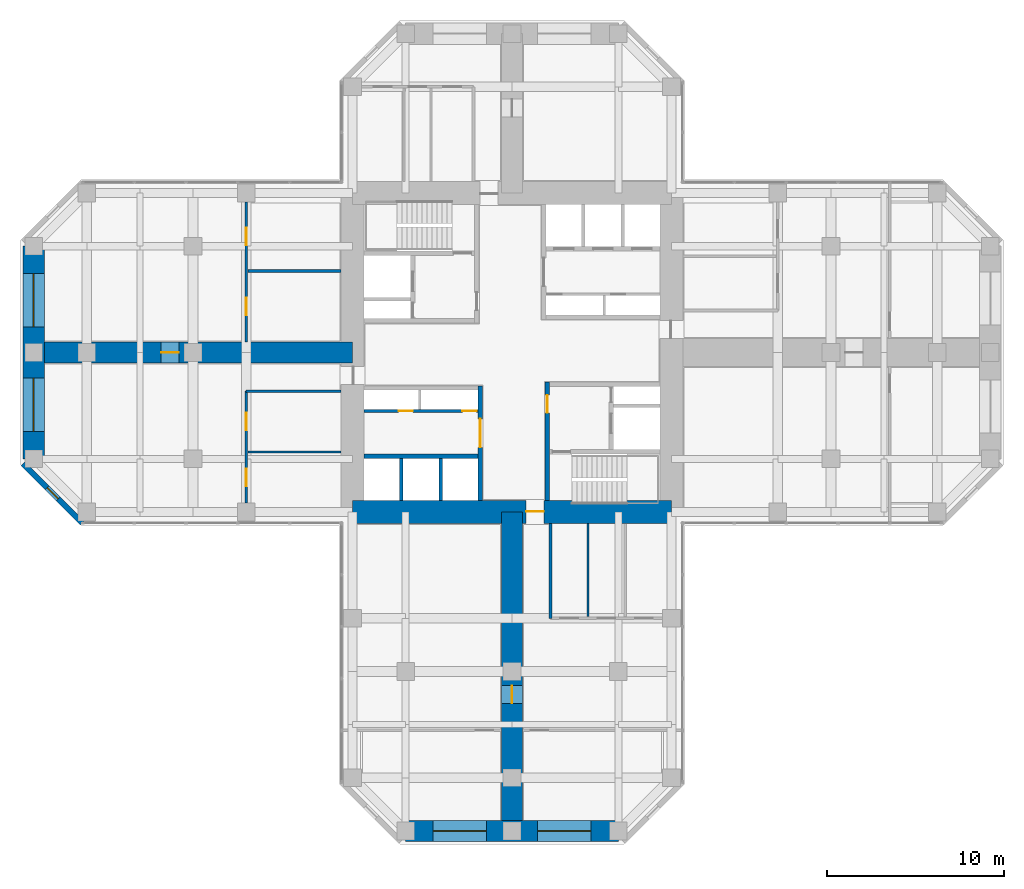
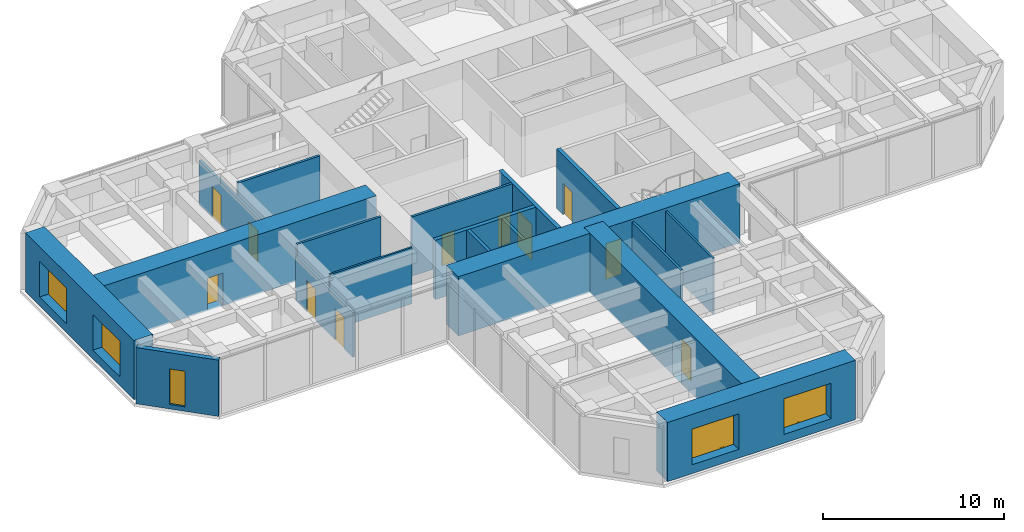
# One storey, part 8 of 12: 19 walls, 11 doors, 5 windows, 16 openings.
"""IFC4 building model written with IfcOpenShell, lengths in metres."""

from ifc_helpers import new_model, si_unit, direction, frame, frame_2d, origin, place, context, subcontext, project, spatial, rectangle, hollow_rectangle, extrude, material, layer, layer_set, constituent, constituent_set, type_object, element, fill, save


model = new_model("IFC4")

# Units and contexts
model_context = context("Model", 3, precision=1e-05, world=origin(), true_north=direction((0.0, 1.0)))
body_context = subcontext(model_context, "Body", "Model", "MODEL_VIEW")
ifc_project = project(units=[si_unit("LENGTHUNIT", "METRE"), si_unit("AREAUNIT", "SQUARE_METRE"), si_unit("VOLUMEUNIT", "CUBIC_METRE"), si_unit("PLANEANGLEUNIT", "RADIAN"), si_unit("MASSUNIT", "GRAM", prefix="KILO")], contexts=[model_context])

# Site, building, storey
site_placement = place(None, origin())
site = spatial("IfcSite", under=ifc_project, at=site_placement, CompositionType="ELEMENT")
building_placement = place(site_placement, origin())
building = spatial("IfcBuilding", under=site, at=building_placement, Name="Torre Cruceta", CompositionType="ELEMENT")
storey_placement = place(building_placement, frame((0.0, 0.0, 148.5)))
storey = spatial("IfcBuildingStorey", under=building, at=storey_placement, Name="L36", CompositionType="ELEMENT", Elevation=148.5)

# Wall, opening, door
ifc_material_1 = material(Name="Concrete G60 (fck 60 MPa)", Category="concrete")
ifc_layer_1 = layer(ifc_material_1, 0.25)
ifc_layer_set_1 = layer_set([ifc_layer_1], Name="Concrete G60 (fck 60 MPa)")
wall_type_1 = type_object("IfcWallType", Name="CORE INNER WALL 250 G60", PredefinedType="SHEAR", material=ifc_layer_set_1)
wall_1_placement = place(storey_placement, frame((-1.800048828125, -1.875, 0.0), z_axis=(0.0, 0.0, 1.0), x_axis=(0.0, -1.0, 0.0)))
wall_1 = element("IfcWall", 1, at=wall_1_placement, inside=storey, type_object=wall_type_1, Name="CW4 L36 SW-CU", PredefinedType="SHEAR", context=body_context, shape_type="SweptSolid", body=[
    extrude(rectangle(XDim=6.47509765625, YDim=0.25, at=frame_2d((3.237548828125, 0.0))), origin(), (0.0, 0.0, 1.0), 4.0),
])
opening_1_placement = place(wall_1_placement, frame((1.875, 0.0, 0.0)))
opening_1 = element("IfcOpeningElement", 2, at=opening_1_placement, cuts=wall_1, Name="Opening D15", PredefinedType="OPENING", context=body_context, shape_type="SweptSolid", body=[
    extrude(rectangle(XDim=1.60009765625, YDim=2.39990234375, at=frame_2d((0.800048828125, 1.199951171875))), frame((0.0, 0.135009765625, 0.0), z_axis=(0.0, -1.0, 0.0), x_axis=(1.0, 0.0, 0.0)), (0.0, 0.0, 1.0), 0.27001953125),
])
ifc_material_2 = material(Name="Steel DX51D", Category="steel")
ifc_constituent_1 = constituent(ifc_material_2, Name="Leaf and frame")
ifc_material_3 = material(Name="Polyester powder coating", Category="paint")
ifc_constituent_2 = constituent(ifc_material_3, Name="Finish")
ifc_constituent_set_1 = constituent_set(constituents=[ifc_constituent_1, ifc_constituent_2], Name="Steel fire door")
door_type_1 = type_object("IfcDoorType", Name="CORE ROOM DOUBLE DOOR 1600X2400", OperationType="DOUBLE_DOOR_SINGLE_SWING", PredefinedType="DOOR", material=ifc_constituent_set_1)
door_1_placement = place(opening_1_placement, frame((1.60009765625, 0.0, 0.0), z_axis=(0.0, 0.0, 1.0), x_axis=(-1.0, 0.0, 0.0)))
door_1 = element("IfcDoor", 3, at=door_1_placement, inside=storey, type_object=door_type_1, Name="D15 L36 SW-LOBBY", OperationType="DOUBLE_DOOR_SINGLE_SWING", OverallHeight=2.39990234375, OverallWidth=1.60009765625, PredefinedType="DOOR", context=body_context, shape_type="SweptSolid", body=[
    extrude(rectangle(XDim=1.60009765625, YDim=2.39990234375, at=frame_2d((0.800048828125, 1.199951171875))), frame((0.0, 0.025146484375, 0.0), z_axis=(0.0, -1.0, 0.0), x_axis=(1.0, 0.0, 0.0)), (0.0, 0.0, 1.0), 0.050048828125),
])
fill(opening_1, door_1)

# Wall
wall_2_placement = place(storey_placement, frame((-1.925048828125, -5.85009765625, 0.0), z_axis=(0.0, 0.0, 1.0), x_axis=(-1.0, 0.0, 0.0)))
element("IfcWall", 4, at=wall_2_placement, inside=storey, type_object=wall_type_1, Name="CW4 L36 SW-LV", PredefinedType="SHEAR", context=body_context, shape_type="SweptSolid", body=[
    extrude(rectangle(XDim=6.425048828125, YDim=0.25, at=frame_2d((3.21240234375, 0.0))), origin(), (0.0, 0.0, 1.0), 4.0),
])

# Wall, opening, door
wall_3_placement = place(storey_placement, frame((2.0, -1.675048828125, 0.0), z_axis=(0.0, 0.0, 1.0), x_axis=(0.0, -1.0, 0.0)))
wall_3 = element("IfcWall", 5, at=wall_3_placement, inside=storey, type_object=wall_type_1, Name="CW4 L36 SE-CU", PredefinedType="SHEAR", context=body_context, shape_type="SweptSolid", body=[
    extrude(rectangle(XDim=6.675048828125, YDim=0.25, at=frame_2d((3.33740234375, 0.0))), origin(), (0.0, 0.0, 1.0), 4.0),
])
opening_2_placement = place(wall_3_placement, frame((0.72509765625, 0.0, 0.0)))
opening_2 = element("IfcOpeningElement", 6, at=opening_2_placement, cuts=wall_3, Name="Opening D3", PredefinedType="OPENING", context=body_context, shape_type="SweptSolid", body=[
    extrude(rectangle(XDim=1.0, YDim=2.10009765625, at=frame_2d((0.5, 1.050048828125))), frame((0.0, 0.135009765625, 0.0), z_axis=(0.0, -1.0, 0.0), x_axis=(1.0, 0.0, 0.0)), (0.0, 0.0, 1.0), 0.27001953125),
])
ifc_material_4 = material(Name="Steel DX51D", Category="steel")
ifc_constituent_3 = constituent(ifc_material_4, Name="Leaf and frame")
ifc_material_5 = material(Name="Polyester powder coating", Category="paint")
ifc_constituent_4 = constituent(ifc_material_5, Name="Finish")
ifc_constituent_set_2 = constituent_set(constituents=[ifc_constituent_3, ifc_constituent_4], Name="Steel fire door")
door_type_2 = type_object("IfcDoorType", Name="FIRE DOOR 1000X2100", OperationType="SINGLE_SWING_LEFT", PredefinedType="DOOR", material=ifc_constituent_set_2)
door_2_placement = place(opening_2_placement, origin())
door_2 = element("IfcDoor", 7, at=door_2_placement, inside=storey, type_object=door_type_2, Name="D3 L36 SE-LOBBY", OperationType="SINGLE_SWING_LEFT", OverallHeight=2.10009765625, OverallWidth=1.0, PredefinedType="DOOR", context=body_context, shape_type="SweptSolid", body=[
    extrude(rectangle(XDim=1.0, YDim=2.10009765625, at=frame_2d((0.5, 1.050048828125))), frame((0.0, 0.02490234375, 0.0), z_axis=(0.0, -1.0, 0.0), x_axis=(1.0, 0.0, 0.0)), (0.0, 0.0, 1.0), 0.050048828125),
])
fill(opening_2, door_2)

ifc_material_6 = material(Name="Concrete G60 (fck 60 MPa)", Category="concrete")
ifc_layer_2 = layer(ifc_material_6, 1.300048828125)
ifc_layer_set_2 = layer_set([ifc_layer_2], Name="Concrete G60 (fck 60 MPa)")
wall_type_2 = type_object("IfcWallType", Name="CORE WALL 1300 G60", PredefinedType="SHEAR", material=ifc_layer_set_2)
wall_4_placement = place(storey_placement, frame((-9.0, -9.0, 0.0), z_axis=(0.0, 0.0, 1.0), x_axis=(1.0, 0.0, 0.0)))
wall_4 = element("IfcWall", 8, at=wall_4_placement, inside=storey, type_object=wall_type_2, Name="CW1 L36 CW-S", PredefinedType="SHEAR", context=body_context, shape_type="SweptSolid", body=[
    extrude(rectangle(XDim=18.0, YDim=1.300048828125, at=frame_2d((9.0, 0.0))), origin(), (0.0, 0.0, 1.0), 4.0),
])
opening_3_placement = place(wall_4_placement, frame((9.800048828125, 0.0, 0.0)))
opening_3 = element("IfcOpeningElement", 9, at=opening_3_placement, cuts=wall_4, Name="Opening D4", PredefinedType="OPENING", context=body_context, shape_type="SweptSolid", body=[
    extrude(rectangle(XDim=1.0, YDim=2.39990234375, at=frame_2d((0.5, 1.199951171875))), frame((0.0, 0.659912109375, 0.0), z_axis=(0.0, -1.0, 0.0), x_axis=(1.0, 0.0, 0.0)), (0.0, 0.0, 1.0), 1.320068359375),
])
ifc_material_7 = material(Name="Steel DX51D", Category="steel")
ifc_constituent_5 = constituent(ifc_material_7, Name="Leaf and frame")
ifc_material_8 = material(Name="Polyester powder coating", Category="paint")
ifc_constituent_6 = constituent(ifc_material_8, Name="Finish")
ifc_constituent_set_3 = constituent_set(constituents=[ifc_constituent_5, ifc_constituent_6], Name="Steel fire door")
door_type_3 = type_object("IfcDoorType", Name="CORE ARM DOOR 1000X2400", OperationType="SINGLE_SWING_RIGHT", PredefinedType="DOOR", material=ifc_constituent_set_3)
door_3_placement = place(opening_3_placement, frame((1.0, 0.0, 0.0), z_axis=(0.0, 0.0, 1.0), x_axis=(-1.0, 0.0, 0.0)))
door_3 = element("IfcDoor", 10, at=door_3_placement, inside=storey, type_object=door_type_3, Name="D4 L36 CW-S", OperationType="SINGLE_SWING_RIGHT", OverallHeight=2.39990234375, OverallWidth=1.0, PredefinedType="DOOR", context=body_context, shape_type="SweptSolid", body=[
    extrude(rectangle(XDim=1.0, YDim=2.39990234375, at=frame_2d((0.5, 1.199951171875))), frame((0.0, -0.005126953125, 0.0), z_axis=(0.0, -1.0, 0.0), x_axis=(1.0, 0.0, 0.0)), (0.0, 0.0, 1.0), 0.050048828125),
])
fill(opening_3, door_3)

# Wall, opening, window
ifc_material_9 = material(Name="Concrete G30 (fck 30 MPa)", Category="concrete")
ifc_layer_3 = layer(ifc_material_9, 0.300048828125)
ifc_layer_set_3 = layer_set([ifc_layer_3], Name="Concrete G30 (fck 30 MPa)")
wall_type_3 = type_object("IfcWallType", Name="EXPOSED CONCRETE FACADE WALL 300", PredefinedType="SOLIDWALL", material=ifc_layer_set_3)
wall_5_placement = place(storey_placement, frame((-27.60009765625, -6.27685546875, 0.0), z_axis=(0.0, 0.0, 1.0), x_axis=(0.707106781187, -0.707106781187, 0.0)))
wall_5 = element("IfcWall", 11, at=wall_5_placement, inside=storey, type_object=wall_type_3, Name="EW1 facade wall L36 W chamfer 13", PredefinedType="SOLIDWALL", context=body_context, shape_type="SweptSolid", body=[
    extrude(rectangle(XDim=4.72802734375, YDim=0.300048828125, at=frame_2d((2.364013671875, 0.0))), origin(), (0.0, 0.0, 1.0), 3.800048828125),
])
opening_4_placement = place(wall_5_placement, frame((1.9140625, 0.0, 0.300048828125)))
opening_4 = element("IfcOpeningElement", 12, at=opening_4_placement, cuts=wall_5, Name="Opening WN5", PredefinedType="OPENING", context=body_context, shape_type="SweptSolid", body=[
    extrude(rectangle(XDim=0.89990234375, YDim=2.39990234375, at=frame_2d((0.449951171875, 1.199951171875))), frame((0.0, 0.159912109375, 0.0), z_axis=(0.0, -1.0, 0.0), x_axis=(1.0, 0.0, 0.0)), (0.0, 0.0, 1.0), 0.320068359375),
])
ifc_material_10 = material(Name="Aluminium window frame", Category="aluminium")
ifc_constituent_7 = constituent(ifc_material_10, Name="Frame")
ifc_material_11 = material(Name="Laminated insulating glass unit, low-iron clear", Category="glass")
ifc_constituent_8 = constituent(ifc_material_11, Name="Glazing")
ifc_constituent_set_4 = constituent_set(constituents=[ifc_constituent_7, ifc_constituent_8], Name="Aluminium window")
window_type_1 = type_object("IfcWindowType", Name="CHAMFER SLOT WINDOW 900X2400", PartitioningType="SINGLE_PANEL", PredefinedType="WINDOW", material=ifc_constituent_set_4)
window_1_placement = place(opening_4_placement, origin())
window_1 = element("IfcWindow", 13, at=window_1_placement, inside=storey, type_object=window_type_1, Name="WN5 L36 W 1", OverallHeight=2.39990234375, OverallWidth=0.89990234375, PartitioningType="SINGLE_PANEL", PredefinedType="WINDOW", context=body_context, shape_type="SweptSolid", body=[
    extrude(hollow_rectangle(XDim=0.89990234375, YDim=2.39990234375, WallThickness=0.06005859375, at=frame_2d((0.449951171875, 1.199951171875))), frame((0.0, 0.030029296875, 0.0), z_axis=(0.0, -1.0, 0.0), x_axis=(1.0, 0.0, 0.0)), (0.0, 0.0, 1.0), 0.06005859375),
    extrude(rectangle(XDim=0.77880859375, YDim=2.27880859375, at=frame_2d((0.449951171875, 1.199951171875))), frame((0.0, 0.030029296875, 0.0), z_axis=(0.0, -1.0, 0.0), x_axis=(1.0, 0.0, 0.0)), (0.0, 0.0, 1.0), 0.06005859375),
])
fill(opening_4, window_1)

# Walls
ifc_material_12 = material(Name="Concrete G35 (fck 35 MPa)", Category="concrete")
ifc_layer_4 = layer(ifc_material_12, 0.199951171875)
ifc_layer_set_4 = layer_set([ifc_layer_4], Name="Concrete G35 (fck 35 MPa)")
wall_type_4 = type_object("IfcWallType", Name="LIFT SHAFT WALL 200", PredefinedType="PARTITIONING", material=ifc_layer_set_4)
for number, where, z_axis, x_axis, name in (
    (14, (-4.033447265625, -5.97509765625, 0.0), (0.0, 0.0, 1.0), (0.0, -1.0, 0.0), "SW1 L36 SW-LS1"),
    (15, (-6.24169921875, -5.97509765625, 0.0), (0.0, 0.0, 1.0), (0.0, -1.0, 0.0), "SW1 L36 SW-LS2"),
):
    element("IfcWall", number, at=place(storey_placement, frame(where, z_axis=z_axis, x_axis=x_axis)), inside=storey, type_object=wall_type_4, Name=name, PredefinedType="PARTITIONING", context=body_context, shape_type="SweptSolid", body=[
        extrude(rectangle(XDim=2.375, YDim=0.199951171875, at=frame_2d((1.1875, 0.0))), origin(), (0.0, 0.0, 1.0), 4.0),
    ])

# Wall, openings, windows
ifc_material_13 = material(Name="Concrete G60 (fck 60 MPa)", Category="concrete")
ifc_layer_5 = layer(ifc_material_13, 1.199951171875)
ifc_layer_set_5 = layer_set([ifc_layer_5], Name="Concrete G60 (fck 60 MPa)")
wall_type_5 = type_object("IfcWallType", Name="NOSE WALL 1200 G60", PredefinedType="SHEAR", material=ifc_layer_set_5)
wall_6_placement = place(storey_placement, frame((-6.0, -27.0, 0.0), z_axis=(0.0, 0.0, 1.0), x_axis=(1.0, 0.0, 0.0)))
wall_6 = element("IfcWall", 16, at=wall_6_placement, inside=storey, type_object=wall_type_5, Name="NW1 nose wall L36 S", PredefinedType="SHEAR", context=body_context, shape_type="SweptSolid", body=[
    extrude(rectangle(XDim=12.0, YDim=1.199951171875, at=frame_2d((6.0, 0.0))), origin(), (0.0, 0.0, 1.0), 4.0),
])
opening_5_placement = place(wall_6_placement, frame((1.550048828125, 0.0, 0.60009765625)))
opening_5 = element("IfcOpeningElement", 17, at=opening_5_placement, cuts=wall_6, Name="Opening WN6", PredefinedType="OPENING", context=body_context, shape_type="SweptSolid", body=[
    extrude(rectangle(XDim=3.0, YDim=2.39990234375, at=frame_2d((1.5, 1.199951171875))), frame((0.0, 0.60986328125, 0.0), z_axis=(0.0, -1.0, 0.0), x_axis=(1.0, 0.0, 0.0)), (0.0, 0.0, 1.0), 1.219970703125),
])
opening_6_placement = place(wall_6_placement, frame((7.449951171875, 0.0, 0.60009765625)))
opening_6 = element("IfcOpeningElement", 18, at=opening_6_placement, cuts=wall_6, Name="Opening WN6", PredefinedType="OPENING", context=body_context, shape_type="SweptSolid", body=[
    extrude(rectangle(XDim=3.0, YDim=2.39990234375, at=frame_2d((1.5, 1.199951171875))), frame((0.0, 0.60986328125, 0.0), z_axis=(0.0, -1.0, 0.0), x_axis=(1.0, 0.0, 0.0)), (0.0, 0.0, 1.0), 1.219970703125),
])
ifc_material_14 = material(Name="Aluminium window frame", Category="aluminium")
ifc_constituent_9 = constituent(ifc_material_14, Name="Frame")
ifc_material_15 = material(Name="Laminated insulating glass unit, low-iron clear", Category="glass")
ifc_constituent_10 = constituent(ifc_material_15, Name="Glazing")
ifc_constituent_set_5 = constituent_set(constituents=[ifc_constituent_9, ifc_constituent_10], Name="Aluminium window")
window_type_2 = type_object("IfcWindowType", Name="NOSE WALL WINDOW 3000X2400", PartitioningType="SINGLE_PANEL", PredefinedType="WINDOW", material=ifc_constituent_set_5)
window_2_placement = place(opening_5_placement, origin())
window_2 = element("IfcWindow", 19, at=window_2_placement, inside=storey, type_object=window_type_2, Name="WN6 L36 S 1", OverallHeight=2.39990234375, OverallWidth=3.0, PartitioningType="SINGLE_PANEL", PredefinedType="WINDOW", context=body_context, shape_type="SweptSolid", body=[
    extrude(hollow_rectangle(XDim=3.0, YDim=2.39990234375, WallThickness=0.06005859375, at=frame_2d((1.5, 1.199951171875))), frame((0.0, 0.030029296875, 0.0), z_axis=(0.0, -1.0, 0.0), x_axis=(1.0, 0.0, 0.0)), (0.0, 0.0, 1.0), 0.06005859375),
    extrude(rectangle(XDim=2.87890625, YDim=2.27880859375, at=frame_2d((1.5, 1.199951171875))), frame((0.0, 0.030029296875, 0.0), z_axis=(0.0, -1.0, 0.0), x_axis=(1.0, 0.0, 0.0)), (0.0, 0.0, 1.0), 0.06005859375),
])
fill(opening_5, window_2)
window_3_placement = place(opening_6_placement, origin())
window_3 = element("IfcWindow", 20, at=window_3_placement, inside=storey, type_object=window_type_2, Name="WN6 L36 S 2", OverallHeight=2.39990234375, OverallWidth=3.0, PartitioningType="SINGLE_PANEL", PredefinedType="WINDOW", context=body_context, shape_type="SweptSolid", body=[
    extrude(hollow_rectangle(XDim=3.0, YDim=2.39990234375, WallThickness=0.06005859375, at=frame_2d((1.5, 1.199951171875))), frame((0.0, 0.030029296875, 0.0), z_axis=(0.0, -1.0, 0.0), x_axis=(1.0, 0.0, 0.0)), (0.0, 0.0, 1.0), 0.06005859375),
    extrude(rectangle(XDim=2.87890625, YDim=2.27880859375, at=frame_2d((1.5, 1.199951171875))), frame((0.0, 0.030029296875, 0.0), z_axis=(0.0, -1.0, 0.0), x_axis=(1.0, 0.0, 0.0)), (0.0, 0.0, 1.0), 0.06005859375),
])
fill(opening_6, window_3)

wall_7_placement = place(storey_placement, frame((-27.0, 6.0, 0.0), z_axis=(0.0, 0.0, 1.0), x_axis=(0.0, -1.0, 0.0)))
wall_7 = element("IfcWall", 21, at=wall_7_placement, inside=storey, type_object=wall_type_5, Name="NW1 nose wall L36 W", PredefinedType="SHEAR", context=body_context, shape_type="SweptSolid", body=[
    extrude(rectangle(XDim=12.0, YDim=1.199951171875, at=frame_2d((6.0, 0.0))), origin(), (0.0, 0.0, 1.0), 4.0),
])
opening_7_placement = place(wall_7_placement, frame((1.550048828125, 0.0, 0.60009765625)))
opening_7 = element("IfcOpeningElement", 22, at=opening_7_placement, cuts=wall_7, Name="Opening WN6", PredefinedType="OPENING", context=body_context, shape_type="SweptSolid", body=[
    extrude(rectangle(XDim=3.0, YDim=2.39990234375, at=frame_2d((1.5, 1.199951171875))), frame((0.0, 0.60986328125, 0.0), z_axis=(0.0, -1.0, 0.0), x_axis=(1.0, 0.0, 0.0)), (0.0, 0.0, 1.0), 1.219970703125),
])
opening_8_placement = place(wall_7_placement, frame((7.449951171875, 0.0, 0.60009765625)))
opening_8 = element("IfcOpeningElement", 23, at=opening_8_placement, cuts=wall_7, Name="Opening WN6", PredefinedType="OPENING", context=body_context, shape_type="SweptSolid", body=[
    extrude(rectangle(XDim=3.0, YDim=2.39990234375, at=frame_2d((1.5, 1.199951171875))), frame((0.0, 0.60986328125, 0.0), z_axis=(0.0, -1.0, 0.0), x_axis=(1.0, 0.0, 0.0)), (0.0, 0.0, 1.0), 1.219970703125),
])
window_4_placement = place(opening_7_placement, origin())
window_4 = element("IfcWindow", 24, at=window_4_placement, inside=storey, type_object=window_type_2, Name="WN6 L36 W 1", OverallHeight=2.39990234375, OverallWidth=3.0, PartitioningType="SINGLE_PANEL", PredefinedType="WINDOW", context=body_context, shape_type="SweptSolid", body=[
    extrude(hollow_rectangle(XDim=3.0, YDim=2.39990234375, WallThickness=0.06005859375, at=frame_2d((1.5, 1.199951171875))), frame((0.0, 0.030029296875, 0.0), z_axis=(0.0, -1.0, 0.0), x_axis=(1.0, 0.0, 0.0)), (0.0, 0.0, 1.0), 0.06005859375),
    extrude(rectangle(XDim=2.87890625, YDim=2.27880859375, at=frame_2d((1.5, 1.199951171875))), frame((0.0, 0.030029296875, 0.0), z_axis=(0.0, -1.0, 0.0), x_axis=(1.0, 0.0, 0.0)), (0.0, 0.0, 1.0), 0.06005859375),
])
fill(opening_7, window_4)
window_5_placement = place(opening_8_placement, origin())
window_5 = element("IfcWindow", 25, at=window_5_placement, inside=storey, type_object=window_type_2, Name="WN6 L36 W 2", OverallHeight=2.39990234375, OverallWidth=3.0, PartitioningType="SINGLE_PANEL", PredefinedType="WINDOW", context=body_context, shape_type="SweptSolid", body=[
    extrude(hollow_rectangle(XDim=3.0, YDim=2.39990234375, WallThickness=0.06005859375, at=frame_2d((1.5, 1.199951171875))), frame((0.0, 0.030029296875, 0.0), z_axis=(0.0, -1.0, 0.0), x_axis=(1.0, 0.0, 0.0)), (0.0, 0.0, 1.0), 0.06005859375),
    extrude(rectangle(XDim=2.87890625, YDim=2.27880859375, at=frame_2d((1.5, 1.199951171875))), frame((0.0, 0.030029296875, 0.0), z_axis=(0.0, -1.0, 0.0), x_axis=(1.0, 0.0, 0.0)), (0.0, 0.0, 1.0), 0.06005859375),
])
fill(opening_8, window_5)

# Wall
ifc_material_16 = material(Name="Plasterboard on steel studs", Category="steel")
ifc_layer_6 = layer(ifc_material_16, 0.14990234375)
ifc_layer_set_6 = layer_set([ifc_layer_6], Name="Plasterboard on steel studs")
wall_type_6 = type_object("IfcWallType", Name="PARTITION 150", PredefinedType="PARTITIONING", material=ifc_layer_set_6)
wall_8_placement = place(storey_placement, frame((2.175048828125, -9.64990234375, 0.0), z_axis=(0.0, 0.0, 1.0), x_axis=(0.0, -1.0, 0.0)))
element("IfcWall", 26, at=wall_8_placement, inside=storey, type_object=wall_type_6, Name="PT1 L36-S-BSL", PredefinedType="PARTITIONING", context=body_context, shape_type="SweptSolid", body=[
    extrude(rectangle(XDim=5.35009765625, YDim=0.14990234375, at=frame_2d((2.675048828125, 0.0))), origin(), (0.0, 0.0, 1.0), 3.800048828125),
])

# Wall, openings, doors
wall_9_placement = place(storey_placement, frame((-15.0, -2.175048828125, 0.0), z_axis=(0.0, 0.0, 1.0), x_axis=(0.0, -1.0, 0.0)))
wall_9 = element("IfcWall", 27, at=wall_9_placement, inside=storey, type_object=wall_type_6, Name="PT1 L36-W-BFL", PredefinedType="PARTITIONING", context=body_context, shape_type="SweptSolid", body=[
    extrude(rectangle(XDim=6.324951171875, YDim=0.14990234375, at=frame_2d((3.16259765625, 0.0))), origin(), (0.0, 0.0, 1.0), 3.0),
])
opening_9_placement = place(wall_9_placement, frame((1.216796875, 0.0, 0.0)))
opening_9 = element("IfcOpeningElement", 28, at=opening_9_placement, cuts=wall_9, Name="Opening D3", PredefinedType="OPENING", context=body_context, shape_type="SweptSolid", body=[
    extrude(rectangle(XDim=1.0, YDim=2.10009765625, at=frame_2d((0.5, 1.050048828125))), frame((0.0, 0.0849609375, 0.0), z_axis=(0.0, -1.0, 0.0), x_axis=(1.0, 0.0, 0.0)), (0.0, 0.0, 1.0), 0.169921875),
])
opening_10_placement = place(wall_9_placement, frame((4.37939453125, 0.0, 0.0)))
opening_10 = element("IfcOpeningElement", 29, at=opening_10_placement, cuts=wall_9, Name="Opening D3", PredefinedType="OPENING", context=body_context, shape_type="SweptSolid", body=[
    extrude(rectangle(XDim=1.0, YDim=2.10009765625, at=frame_2d((0.5, 1.050048828125))), frame((0.0, 0.0849609375, 0.0), z_axis=(0.0, -1.0, 0.0), x_axis=(1.0, 0.0, 0.0)), (0.0, 0.0, 1.0), 0.169921875),
])
door_4_placement = place(opening_9_placement, origin())
door_4 = element("IfcDoor", 30, at=door_4_placement, inside=storey, type_object=door_type_2, Name="D3 L36-W-BFL-D1", OperationType="SINGLE_SWING_LEFT", OverallHeight=2.10009765625, OverallWidth=1.0, PredefinedType="DOOR", context=body_context, shape_type="SweptSolid", body=[
    extrude(rectangle(XDim=1.0, YDim=2.10009765625, at=frame_2d((0.5, 1.050048828125))), frame((0.0, 0.02490234375, 0.0), z_axis=(0.0, -1.0, 0.0), x_axis=(1.0, 0.0, 0.0)), (0.0, 0.0, 1.0), 0.050048828125),
])
fill(opening_9, door_4)
door_5_placement = place(opening_10_placement, origin())
door_5 = element("IfcDoor", 31, at=door_5_placement, inside=storey, type_object=door_type_2, Name="D3 L36-W-BFL-D2", OperationType="SINGLE_SWING_LEFT", OverallHeight=2.10009765625, OverallWidth=1.0, PredefinedType="DOOR", context=body_context, shape_type="SweptSolid", body=[
    extrude(rectangle(XDim=1.0, YDim=2.10009765625, at=frame_2d((0.5, 1.050048828125))), frame((0.0, 0.02490234375, 0.0), z_axis=(0.0, -1.0, 0.0), x_axis=(1.0, 0.0, 0.0)), (0.0, 0.0, 1.0), 0.050048828125),
])
fill(opening_10, door_5)

# Wall
wall_10_placement = place(storey_placement, frame((-9.64990234375, -2.175048828125, 0.0), z_axis=(0.0, 0.0, 1.0), x_axis=(-1.0, 0.0, 0.0)))
element("IfcWall", 32, at=wall_10_placement, inside=storey, type_object=wall_type_6, Name="PT1 L36-W-BSL", PredefinedType="PARTITIONING", context=body_context, shape_type="SweptSolid", body=[
    extrude(rectangle(XDim=5.35009765625, YDim=0.14990234375, at=frame_2d((2.675048828125, 0.0))), origin(), (0.0, 0.0, 1.0), 3.800048828125),
])

# Wall, openings, doors
wall_11_placement = place(storey_placement, frame((-15.0, 8.5, 0.0), z_axis=(0.0, 0.0, 1.0), x_axis=(0.0, -1.0, 0.0)))
wall_11 = element("IfcWall", 33, at=wall_11_placement, inside=storey, type_object=wall_type_6, Name="PT1 L36-W-BFR", PredefinedType="PARTITIONING", context=body_context, shape_type="SweptSolid", body=[
    extrude(rectangle(XDim=7.89990234375, YDim=0.14990234375, at=frame_2d((3.949951171875, 0.0))), origin(), (0.0, 0.0, 1.0), 3.0),
])
opening_11_placement = place(wall_11_placement, frame((1.449951171875, 0.0, 0.0)))
opening_11 = element("IfcOpeningElement", 34, at=opening_11_placement, cuts=wall_11, Name="Opening D3", PredefinedType="OPENING", context=body_context, shape_type="SweptSolid", body=[
    extrude(rectangle(XDim=1.0, YDim=2.10009765625, at=frame_2d((0.5, 1.050048828125))), frame((0.0, 0.0849609375, 0.0), z_axis=(0.0, -1.0, 0.0), x_axis=(1.0, 0.0, 0.0)), (0.0, 0.0, 1.0), 0.169921875),
])
opening_12_placement = place(wall_11_placement, frame((5.39990234375, 0.0, 0.0)))
opening_12 = element("IfcOpeningElement", 35, at=opening_12_placement, cuts=wall_11, Name="Opening D3", PredefinedType="OPENING", context=body_context, shape_type="SweptSolid", body=[
    extrude(rectangle(XDim=1.0, YDim=2.10009765625, at=frame_2d((0.5, 1.050048828125))), frame((0.0, 0.0849609375, 0.0), z_axis=(0.0, -1.0, 0.0), x_axis=(1.0, 0.0, 0.0)), (0.0, 0.0, 1.0), 0.169921875),
])
door_6_placement = place(opening_11_placement, origin())
door_6 = element("IfcDoor", 36, at=door_6_placement, inside=storey, type_object=door_type_2, Name="D3 L36-W-BFR-D1", OperationType="SINGLE_SWING_RIGHT", OverallHeight=2.10009765625, OverallWidth=1.0, PredefinedType="DOOR", context=body_context, shape_type="SweptSolid", body=[
    extrude(rectangle(XDim=1.0, YDim=2.10009765625, at=frame_2d((0.5, 1.050048828125))), frame((0.0, 0.02490234375, 0.0), z_axis=(0.0, -1.0, 0.0), x_axis=(1.0, 0.0, 0.0)), (0.0, 0.0, 1.0), 0.050048828125),
])
fill(opening_11, door_6)
door_7_placement = place(opening_12_placement, origin())
door_7 = element("IfcDoor", 37, at=door_7_placement, inside=storey, type_object=door_type_2, Name="D3 L36-W-BFR-D2", OperationType="SINGLE_SWING_LEFT", OverallHeight=2.10009765625, OverallWidth=1.0, PredefinedType="DOOR", context=body_context, shape_type="SweptSolid", body=[
    extrude(rectangle(XDim=1.0, YDim=2.10009765625, at=frame_2d((0.5, 1.050048828125))), frame((0.0, 0.02490234375, 0.0), z_axis=(0.0, -1.0, 0.0), x_axis=(1.0, 0.0, 0.0)), (0.0, 0.0, 1.0), 0.050048828125),
])
fill(opening_12, door_7)

# Wall
wall_12_placement = place(storey_placement, frame((-9.64990234375, 4.60009765625, 0.0), z_axis=(0.0, 0.0, 1.0), x_axis=(-1.0, 0.0, 0.0)))
element("IfcWall", 38, at=wall_12_placement, inside=storey, type_object=wall_type_6, Name="PT1 L36-W-BDR1", PredefinedType="PARTITIONING", context=body_context, shape_type="SweptSolid", body=[
    extrude(rectangle(XDim=5.25, YDim=0.14990234375, at=frame_2d((2.625, 0.0))), origin(), (0.0, 0.0, 1.0), 3.800048828125),
])

# Wall, openings, doors
ifc_material_17 = material(Name="Concrete block masonry", Category="masonry")
ifc_layer_7 = layer(ifc_material_17, 0.14990234375)
ifc_layer_set_7 = layer_set([ifc_layer_7], Name="Concrete block masonry")
wall_type_7 = type_object("IfcWallType", Name="RISER WALL 150", PredefinedType="PARTITIONING", material=ifc_layer_set_7)
wall_13_placement = place(storey_placement, frame((-1.925048828125, -3.300048828125, 0.0), z_axis=(0.0, 0.0, 1.0), x_axis=(-1.0, 0.0, 0.0)))
wall_13 = element("IfcWall", 39, at=wall_13_placement, inside=storey, type_object=wall_type_7, Name="SW7 L36 SW-RV", PredefinedType="PARTITIONING", context=body_context, shape_type="SweptSolid", body=[
    extrude(rectangle(XDim=6.425048828125, YDim=0.14990234375, at=frame_2d((3.21240234375, 0.0))), origin(), (0.0, 0.0, 1.0), 4.0),
])
opening_13_placement = place(wall_13_placement, frame((0.074951171875, 0.0, 0.0)))
opening_13 = element("IfcOpeningElement", 40, at=opening_13_placement, cuts=wall_13, Name="Opening D5", PredefinedType="OPENING", context=body_context, shape_type="SweptSolid", body=[
    extrude(rectangle(XDim=0.800048828125, YDim=2.10009765625, at=frame_2d((0.39990234375, 1.050048828125))), frame((0.0, 0.0849609375, 0.0), z_axis=(0.0, -1.0, 0.0), x_axis=(1.0, 0.0, 0.0)), (0.0, 0.0, 1.0), 0.169921875),
])
opening_14_placement = place(wall_13_placement, frame((3.675048828125, 0.0, 0.0)))
opening_14 = element("IfcOpeningElement", 41, at=opening_14_placement, cuts=wall_13, Name="Opening D5", PredefinedType="OPENING", context=body_context, shape_type="SweptSolid", body=[
    extrude(rectangle(XDim=0.800048828125, YDim=2.10009765625, at=frame_2d((0.39990234375, 1.050048828125))), frame((0.0, 0.0849609375, 0.0), z_axis=(0.0, -1.0, 0.0), x_axis=(1.0, 0.0, 0.0)), (0.0, 0.0, 1.0), 0.169921875),
])
ifc_material_18 = material(Name="Steel DX51D", Category="steel")
ifc_constituent_11 = constituent(ifc_material_18, Name="Leaf and frame")
ifc_material_19 = material(Name="Polyester powder coating", Category="paint")
ifc_constituent_12 = constituent(ifc_material_19, Name="Finish")
ifc_constituent_set_6 = constituent_set(constituents=[ifc_constituent_11, ifc_constituent_12], Name="Steel fire door")
door_type_4 = type_object("IfcDoorType", Name="RISER ACCESS DOOR 800X2100", OperationType="SINGLE_SWING_LEFT", PredefinedType="DOOR", material=ifc_constituent_set_6)
door_8_placement = place(opening_13_placement, frame((0.800048828125, 0.0, 0.0), z_axis=(0.0, 0.0, 1.0), x_axis=(-1.0, 0.0, 0.0)))
door_8 = element("IfcDoor", 42, at=door_8_placement, inside=storey, type_object=door_type_4, Name="D5 L36 SW-RISER1", OperationType="SINGLE_SWING_RIGHT", OverallHeight=2.10009765625, OverallWidth=0.800048828125, PredefinedType="DOOR", context=body_context, shape_type="SweptSolid", body=[
    extrude(rectangle(XDim=0.800048828125, YDim=2.10009765625, at=frame_2d((0.400146484375, 1.050048828125))), frame((0.0, 0.025146484375, 0.0), z_axis=(0.0, -1.0, 0.0), x_axis=(1.0, 0.0, 0.0)), (0.0, 0.0, 1.0), 0.050048828125),
])
fill(opening_13, door_8)
door_9_placement = place(opening_14_placement, frame((0.800048828125, 0.0, 0.0), z_axis=(0.0, 0.0, 1.0), x_axis=(-1.0, 0.0, 0.0)))
door_9 = element("IfcDoor", 43, at=door_9_placement, inside=storey, type_object=door_type_4, Name="D5 L36 SW-RISER2", OperationType="SINGLE_SWING_RIGHT", OverallHeight=2.10009765625, OverallWidth=0.800048828125, PredefinedType="DOOR", context=body_context, shape_type="SweptSolid", body=[
    extrude(rectangle(XDim=0.800048828125, YDim=2.10009765625, at=frame_2d((0.400146484375, 1.050048828125))), frame((0.0, 0.025146484375, 0.0), z_axis=(0.0, -1.0, 0.0), x_axis=(1.0, 0.0, 0.0)), (0.0, 0.0, 1.0), 0.050048828125),
])
fill(opening_14, door_9)

# Wall, opening, door
ifc_material_20 = material(Name="Concrete G60 (fck 60 MPa)", Category="concrete")
ifc_layer_8 = layer(ifc_material_20, 1.199951171875)
ifc_layer_set_8 = layer_set([ifc_layer_8], Name="Concrete G60 (fck 60 MPa)")
wall_type_8 = type_object("IfcWallType", Name="SPINE WALL 1200 G60", PredefinedType="SHEAR", material=ifc_layer_set_8)
wall_14_placement = place(storey_placement, frame((0.0, -9.0, 0.0), z_axis=(0.0, 0.0, 1.0), x_axis=(0.0, -1.0, 0.0)))
wall_14 = element("IfcWall", 44, at=wall_14_placement, inside=storey, type_object=wall_type_8, Name="SW3 spine wall L36 S", PredefinedType="SHEAR", context=body_context, shape_type="SweptSolid", body=[
    extrude(rectangle(XDim=18.0, YDim=1.199951171875, at=frame_2d((9.0, 0.0))), origin(), (0.0, 0.0, 1.0), 4.0),
])
opening_15_placement = place(wall_14_placement, frame((9.800048828125, 0.0, 0.0)))
opening_15 = element("IfcOpeningElement", 45, at=opening_15_placement, cuts=wall_14, Name="Opening D14", PredefinedType="OPENING", context=body_context, shape_type="SweptSolid", body=[
    extrude(rectangle(XDim=1.0, YDim=2.199951171875, at=frame_2d((0.5, 1.10009765625))), frame((0.0, 0.60986328125, 0.0), z_axis=(0.0, -1.0, 0.0), x_axis=(1.0, 0.0, 0.0)), (0.0, 0.0, 1.0), 1.219970703125),
])
ifc_material_21 = material(Name="Steel DX51D", Category="steel")
ifc_constituent_13 = constituent(ifc_material_21, Name="Leaf and frame")
ifc_material_22 = material(Name="Polyester powder coating", Category="paint")
ifc_constituent_14 = constituent(ifc_material_22, Name="Finish")
ifc_material_23 = material(Name="Fire-resisting glass", Category="glass")
ifc_constituent_15 = constituent(ifc_material_23, Name="Vision panel")
ifc_constituent_set_7 = constituent_set(constituents=[ifc_constituent_13, ifc_constituent_14, ifc_constituent_15], Name="Steel fire door with vision panel")
door_type_5 = type_object("IfcDoorType", Name="FIRE DOOR VISION PANEL 1000X2200", OperationType="SINGLE_SWING_RIGHT", PredefinedType="DOOR", material=ifc_constituent_set_7)
door_10_placement = place(opening_15_placement, origin())
door_10 = element("IfcDoor", 46, at=door_10_placement, inside=storey, type_object=door_type_5, Name="D14 L36-S-SP1", OperationType="SINGLE_SWING_RIGHT", OverallHeight=2.199951171875, OverallWidth=1.0, PredefinedType="DOOR", context=body_context, shape_type="SweptSolid", body=[
    extrude(rectangle(XDim=1.0, YDim=2.199951171875, at=frame_2d((0.5, 1.10009765625))), frame((0.0, 0.02490234375, 0.0), z_axis=(0.0, -1.0, 0.0), x_axis=(1.0, 0.0, 0.0)), (0.0, 0.0, 1.0), 0.050048828125),
])
fill(opening_15, door_10)

wall_15_placement = place(storey_placement, frame((-9.0, 0.0, 0.0), z_axis=(0.0, 0.0, 1.0), x_axis=(-1.0, 0.0, 0.0)))
wall_15 = element("IfcWall", 47, at=wall_15_placement, inside=storey, type_object=wall_type_8, Name="SW3 spine wall L36 W", PredefinedType="SHEAR", context=body_context, shape_type="SweptSolid", body=[
    extrude(rectangle(XDim=18.0, YDim=1.199951171875, at=frame_2d((9.0, 0.0))), origin(), (0.0, 0.0, 1.0), 4.0),
])
opening_16_placement = place(wall_15_placement, frame((9.800048828125, 0.0, 0.0)))
opening_16 = element("IfcOpeningElement", 48, at=opening_16_placement, cuts=wall_15, Name="Opening D14", PredefinedType="OPENING", context=body_context, shape_type="SweptSolid", body=[
    extrude(rectangle(XDim=1.0, YDim=2.199951171875, at=frame_2d((0.5, 1.10009765625))), frame((0.0, 0.60986328125, 0.0), z_axis=(0.0, -1.0, 0.0), x_axis=(1.0, 0.0, 0.0)), (0.0, 0.0, 1.0), 1.219970703125),
])
door_11_placement = place(opening_16_placement, frame((1.0, 0.0, 0.0), z_axis=(0.0, 0.0, 1.0), x_axis=(-1.0, 0.0, 0.0)))
door_11 = element("IfcDoor", 49, at=door_11_placement, inside=storey, type_object=door_type_5, Name="D14 L36-W-SP1", OperationType="SINGLE_SWING_RIGHT", OverallHeight=2.199951171875, OverallWidth=1.0, PredefinedType="DOOR", context=body_context, shape_type="SweptSolid", body=[
    extrude(rectangle(XDim=1.0, YDim=2.199951171875, at=frame_2d((0.5, 1.10009765625))), frame((0.0, 0.025146484375, 0.0), z_axis=(0.0, -1.0, 0.0), x_axis=(1.0, 0.0, 0.0)), (0.0, 0.0, 1.0), 0.050048828125),
])
fill(opening_16, door_11)

# Walls
ifc_material_24 = material(Name="Plasterboard on steel studs", Category="steel")
ifc_layer_9 = layer(ifc_material_24, 0.1201171875)
ifc_layer_set_9 = layer_set([ifc_layer_9], Name="Plasterboard on steel studs")
wall_type_9 = type_object("IfcWallType", Name="WC PARTITION 120", PredefinedType="PLUMBINGWALL", material=ifc_layer_set_9)
for number, where, z_axis, x_axis, name in (
    (50, (4.283447265625, -9.64990234375, 0.0), (0.0, 0.0, 1.0), (0.0, -1.0, 0.0), "PT5 L36-S-BDL1"),
    (51, (-9.64990234375, -5.608642578125, 0.0), (0.0, 0.0, 1.0), (-1.0, 0.0, 0.0), "PT5 L36-W-BDL1"),
):
    element("IfcWall", number, at=place(storey_placement, frame(where, z_axis=z_axis, x_axis=x_axis)), inside=storey, type_object=wall_type_9, Name=name, PredefinedType="PLUMBINGWALL", context=body_context, shape_type="SweptSolid", body=[
        extrude(rectangle(XDim=5.25, YDim=0.1201171875, at=frame_2d((2.625, 0.0))), origin(), (0.0, 0.0, 1.0), 3.800048828125),
    ])

save(model, "model.ifc")
